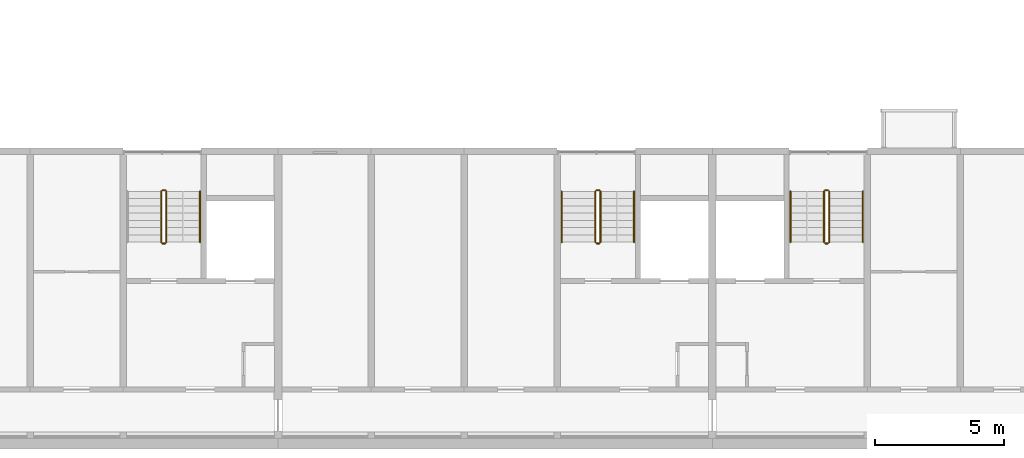
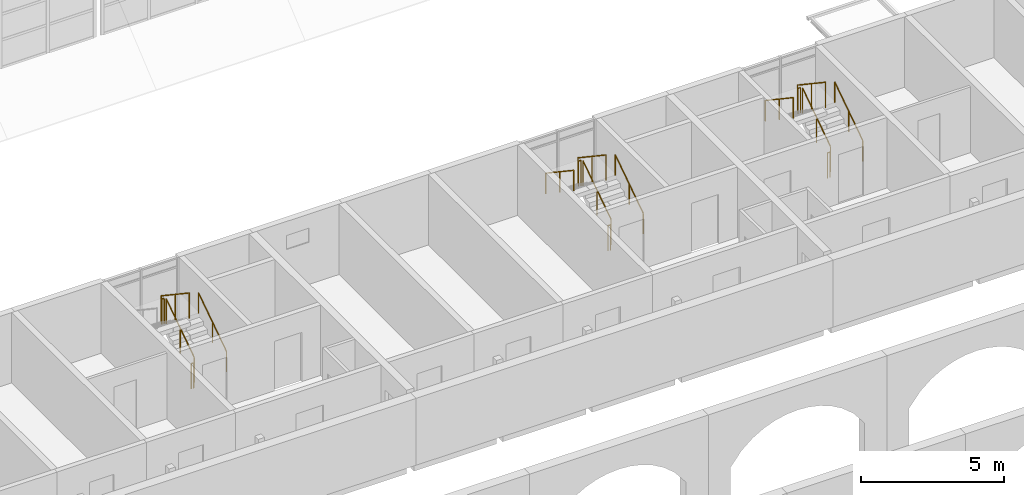
# One storey, part 115 of 122: 17 railings.
"""IFC4 building model written with IfcOpenShell, lengths in metres."""

from ifc_helpers import new_model, si_unit, direction, frame, origin, origin_2d, place, context, subcontext, project, spatial, circle, extrude, material, type_object, element, save


model = new_model("IFC4")

# Units and contexts
model_context = context("Model", 3, precision=1e-05, world=origin(), true_north=direction((0.0, 1.0)))
body_context = subcontext(model_context, "Body", "Model", "MODEL_VIEW")
ifc_project = project(units=[si_unit("LENGTHUNIT", "METRE"), si_unit("AREAUNIT", "SQUARE_METRE"), si_unit("VOLUMEUNIT", "CUBIC_METRE"), si_unit("PLANEANGLEUNIT", "RADIAN"), si_unit("MASSUNIT", "GRAM", prefix="KILO")], contexts=[model_context])

# Site, building, storey
site_placement = place(None, origin())
site = spatial("IfcSite", under=ifc_project, at=site_placement, CompositionType="ELEMENT")
building_placement = place(site_placement, origin())
building = spatial("IfcBuilding", under=site, at=building_placement, Name="Ridgestep Commons", CompositionType="ELEMENT")
storey_placement = place(building_placement, frame((0.0, 0.0, 3.0)))
storey = spatial("IfcBuildingStorey", under=building, at=storey_placement, Name="L01", CompositionType="ELEMENT", Elevation=3.0)

# Railings
ifc_material_1 = material(Name="Structural steel S355JR", Category="steel")
railing_type_1 = type_object("IfcRailingType", Name="Stair guard 1100", PredefinedType="GUARDRAIL", material=ifc_material_1)
railing_1_placement = place(storey_placement, frame((192.875, 19.35009765625, 0.1875)))
element("IfcRailing", 1, at=railing_1_placement, inside=storey, type_object=railing_type_1, Name="L01 D3C stair guard 1", PredefinedType="GUARDRAIL", context=body_context, shape_type="SweptSolid", body=[
    extrude(circle(Radius=0.02392578125, at=origin_2d()), frame((0.0, 0.0, 1.076171875), z_axis=(0.0, 0.830902050051, 0.556418712142), x_axis=(-1.0, 0.0, 0.0)), (0.0, 0.0, 1.0), 2.35888671875),
    extrude(circle(Radius=0.02099609375, at=origin_2d()), origin(), (0.0, 0.0, 1.0), 1.052001953125),
    extrude(circle(Radius=0.02099609375, at=origin_2d()), frame((0.0, 0.97998046875, 0.65625)), (0.0, 0.0, 1.0), 1.052001953125),
    extrude(circle(Radius=0.02099609375, at=origin_2d()), frame((0.0, 1.9599609375, 1.3125)), (0.0, 0.0, 1.0), 1.052001953125),
])
railing_2_placement = place(storey_placement, frame((192.824951171875, 21.360107421875, 1.5)))
element("IfcRailing", 2, at=railing_2_placement, inside=storey, type_object=railing_type_1, Name="L01 D3C stair guard 2", PredefinedType="GUARDRAIL", context=body_context, shape_type="SweptSolid", body=[
    extrude(circle(Radius=0.02392578125, at=origin_2d()), frame((0.0, 0.0, 1.076171875), z_axis=(-1.0, 0.0, 0.0), x_axis=(0.0, -1.0, 0.0)), (0.0, 0.0, 1.0), 0.099853515625),
    extrude(circle(Radius=0.02099609375, at=origin_2d()), origin(), (0.0, 0.0, 1.0), 1.052001953125),
    extrude(circle(Radius=0.02099609375, at=origin_2d()), frame((-0.099853515625, 0.0, 0.0)), (0.0, 0.0, 1.0), 1.052001953125),
])
railing_3_placement = place(storey_placement, frame((192.675048828125, 21.31005859375, 1.6875)))
element("IfcRailing", 3, at=railing_3_placement, inside=storey, type_object=railing_type_1, Name="L01 D3C stair guard 3", PredefinedType="GUARDRAIL", context=body_context, shape_type="SweptSolid", body=[
    extrude(circle(Radius=0.02392578125, at=origin_2d()), frame((0.0, 0.0, 1.076171875), z_axis=(0.0, -0.830902050051, 0.556418712142), x_axis=(1.0, 0.0, 0.0)), (0.0, 0.0, 1.0), 2.35888671875),
    extrude(circle(Radius=0.02099609375, at=origin_2d()), origin(), (0.0, 0.0, 1.0), 1.052001953125),
    extrude(circle(Radius=0.02099609375, at=origin_2d()), frame((0.0, -0.97998046875, 0.65625)), (0.0, 0.0, 1.0), 1.052001953125),
    extrude(circle(Radius=0.02099609375, at=origin_2d()), frame((0.0, -1.9599609375, 1.3125)), (0.0, 0.0, 1.0), 1.052001953125),
])
railing_4_placement = place(storey_placement, frame((192.824951171875, 19.300048828125, 0.0)))
element("IfcRailing", 4, at=railing_4_placement, inside=storey, type_object=railing_type_1, Name="L01 D3C stair guard 4", PredefinedType="GUARDRAIL", context=body_context, shape_type="SweptSolid", body=[
    extrude(circle(Radius=0.02392578125, at=origin_2d()), frame((0.0, 0.0, 1.076171875), z_axis=(-1.0, 0.0, 0.0), x_axis=(0.0, -1.0, 0.0)), (0.0, 0.0, 1.0), 0.099853515625),
    extrude(circle(Radius=0.02099609375, at=origin_2d()), origin(), (0.0, 0.0, 1.0), 1.052001953125),
    extrude(circle(Radius=0.02099609375, at=origin_2d()), frame((-0.099853515625, 0.0, 0.0)), (0.0, 0.0, 1.0), 1.052001953125),
])
railing_5_placement = place(storey_placement, frame((209.675048828125, 19.35009765625, 0.1875)))
element("IfcRailing", 5, at=railing_5_placement, inside=storey, type_object=railing_type_1, Name="L01 D4C stair guard 1", PredefinedType="GUARDRAIL", context=body_context, shape_type="SweptSolid", body=[
    extrude(circle(Radius=0.02392578125, at=origin_2d()), frame((0.0, 0.0, 1.076171875), z_axis=(0.0, 0.830902050051, 0.556418712142), x_axis=(-1.0, 0.0, 0.0)), (0.0, 0.0, 1.0), 2.35888671875),
    extrude(circle(Radius=0.02099609375, at=origin_2d()), origin(), (0.0, 0.0, 1.0), 1.052001953125),
    extrude(circle(Radius=0.02099609375, at=origin_2d()), frame((0.0, 0.97998046875, 0.65625)), (0.0, 0.0, 1.0), 1.052001953125),
    extrude(circle(Radius=0.02099609375, at=origin_2d()), frame((0.0, 1.9599609375, 1.3125)), (0.0, 0.0, 1.0), 1.052001953125),
])
railing_6_placement = place(storey_placement, frame((209.625, 21.360107421875, 1.5)))
element("IfcRailing", 6, at=railing_6_placement, inside=storey, type_object=railing_type_1, Name="L01 D4C stair guard 2", PredefinedType="GUARDRAIL", context=body_context, shape_type="SweptSolid", body=[
    extrude(circle(Radius=0.02392578125, at=origin_2d()), frame((0.0, 0.0, 1.076171875), z_axis=(-1.0, 0.0, 0.0), x_axis=(0.0, -1.0, 0.0)), (0.0, 0.0, 1.0), 0.10009765625),
    extrude(circle(Radius=0.02099609375, at=origin_2d()), origin(), (0.0, 0.0, 1.0), 1.052001953125),
    extrude(circle(Radius=0.02099609375, at=origin_2d()), frame((-0.10009765625, 0.0, 0.0)), (0.0, 0.0, 1.0), 1.052001953125),
])
railing_7_placement = place(storey_placement, frame((209.47509765625, 21.31005859375, 1.6875)))
element("IfcRailing", 7, at=railing_7_placement, inside=storey, type_object=railing_type_1, Name="L01 D4C stair guard 3", PredefinedType="GUARDRAIL", context=body_context, shape_type="SweptSolid", body=[
    extrude(circle(Radius=0.02392578125, at=origin_2d()), frame((0.0, 0.0, 1.076171875), z_axis=(0.0, -0.830902050051, 0.556418712142), x_axis=(1.0, 0.0, 0.0)), (0.0, 0.0, 1.0), 2.35888671875),
    extrude(circle(Radius=0.02099609375, at=origin_2d()), origin(), (0.0, 0.0, 1.0), 1.052001953125),
    extrude(circle(Radius=0.02099609375, at=origin_2d()), frame((0.0, -0.97998046875, 0.65625)), (0.0, 0.0, 1.0), 1.052001953125),
    extrude(circle(Radius=0.02099609375, at=origin_2d()), frame((0.0, -1.9599609375, 1.3125)), (0.0, 0.0, 1.0), 1.052001953125),
])
railing_8_placement = place(storey_placement, frame((209.625, 19.300048828125, 0.0)))
element("IfcRailing", 8, at=railing_8_placement, inside=storey, type_object=railing_type_1, Name="L01 D4C stair guard 4", PredefinedType="GUARDRAIL", context=body_context, shape_type="SweptSolid", body=[
    extrude(circle(Radius=0.02392578125, at=origin_2d()), frame((0.0, 0.0, 1.076171875), z_axis=(-1.0, 0.0, 0.0), x_axis=(0.0, -1.0, 0.0)), (0.0, 0.0, 1.0), 0.10009765625),
    extrude(circle(Radius=0.02099609375, at=origin_2d()), origin(), (0.0, 0.0, 1.0), 1.052001953125),
    extrude(circle(Radius=0.02099609375, at=origin_2d()), frame((-0.10009765625, 0.0, 0.0)), (0.0, 0.0, 1.0), 1.052001953125),
])
railing_9_placement = place(storey_placement, frame((218.52490234375, 19.35009765625, 0.1875)))
element("IfcRailing", 9, at=railing_9_placement, inside=storey, type_object=railing_type_1, Name="L01 D5C stair guard 1", PredefinedType="GUARDRAIL", context=body_context, shape_type="SweptSolid", body=[
    extrude(circle(Radius=0.02392578125, at=origin_2d()), frame((0.0, 0.0, 1.076171875), z_axis=(0.0, 0.830902050051, 0.556418712142), x_axis=(-1.0, 0.0, 0.0)), (0.0, 0.0, 1.0), 2.35888671875),
    extrude(circle(Radius=0.02099609375, at=origin_2d()), origin(), (0.0, 0.0, 1.0), 1.052001953125),
    extrude(circle(Radius=0.02099609375, at=origin_2d()), frame((0.0, 0.97998046875, 0.65625)), (0.0, 0.0, 1.0), 1.052001953125),
    extrude(circle(Radius=0.02099609375, at=origin_2d()), frame((0.0, 1.9599609375, 1.3125)), (0.0, 0.0, 1.0), 1.052001953125),
])
railing_10_placement = place(storey_placement, frame((218.47509765625, 21.360107421875, 1.5)))
element("IfcRailing", 10, at=railing_10_placement, inside=storey, type_object=railing_type_1, Name="L01 D5C stair guard 2", PredefinedType="GUARDRAIL", context=body_context, shape_type="SweptSolid", body=[
    extrude(circle(Radius=0.02392578125, at=origin_2d()), frame((0.0, 0.0, 1.076171875), z_axis=(-1.0, 0.0, 0.0), x_axis=(0.0, -1.0, 0.0)), (0.0, 0.0, 1.0), 0.10009765625),
    extrude(circle(Radius=0.02099609375, at=origin_2d()), origin(), (0.0, 0.0, 1.0), 1.052001953125),
    extrude(circle(Radius=0.02099609375, at=origin_2d()), frame((-0.10009765625, 0.0, 0.0)), (0.0, 0.0, 1.0), 1.052001953125),
])
railing_11_placement = place(storey_placement, frame((218.324951171875, 21.31005859375, 1.6875)))
element("IfcRailing", 11, at=railing_11_placement, inside=storey, type_object=railing_type_1, Name="L01 D5C stair guard 3", PredefinedType="GUARDRAIL", context=body_context, shape_type="SweptSolid", body=[
    extrude(circle(Radius=0.02392578125, at=origin_2d()), frame((0.0, 0.0, 1.076171875), z_axis=(0.0, -0.830902050051, 0.556418712142), x_axis=(1.0, 0.0, 0.0)), (0.0, 0.0, 1.0), 2.35888671875),
    extrude(circle(Radius=0.02099609375, at=origin_2d()), origin(), (0.0, 0.0, 1.0), 1.052001953125),
    extrude(circle(Radius=0.02099609375, at=origin_2d()), frame((0.0, -0.97998046875, 0.65625)), (0.0, 0.0, 1.0), 1.052001953125),
    extrude(circle(Radius=0.02099609375, at=origin_2d()), frame((0.0, -1.9599609375, 1.3125)), (0.0, 0.0, 1.0), 1.052001953125),
])
railing_12_placement = place(storey_placement, frame((218.47509765625, 19.300048828125, 0.0)))
element("IfcRailing", 12, at=railing_12_placement, inside=storey, type_object=railing_type_1, Name="L01 D5C stair guard 4", PredefinedType="GUARDRAIL", context=body_context, shape_type="SweptSolid", body=[
    extrude(circle(Radius=0.02392578125, at=origin_2d()), frame((0.0, 0.0, 1.076171875), z_axis=(-1.0, 0.0, 0.0), x_axis=(0.0, -1.0, 0.0)), (0.0, 0.0, 1.0), 0.10009765625),
    extrude(circle(Radius=0.02099609375, at=origin_2d()), origin(), (0.0, 0.0, 1.0), 1.052001953125),
    extrude(circle(Radius=0.02099609375, at=origin_2d()), frame((-0.10009765625, 0.0, 0.0)), (0.0, 0.0, 1.0), 1.052001953125),
])
ifc_material_2 = material(Name="Structural steel S355JR", Category="steel")
railing_type_2 = type_object("IfcRailingType", Name="Stair handrail 900", PredefinedType="HANDRAIL", material=ifc_material_2)
for number, where, name in (
    (13, (194.175048828125, 19.35009765625, 0.1875), "L01 D3C stair handrail 1"),
    (14, (210.97509765625, 19.35009765625, 0.1875), "L01 D4C stair handrail 1"),
):
    element("IfcRailing", number, at=place(storey_placement, frame(where)), inside=storey, type_object=railing_type_2, Name=name, PredefinedType="HANDRAIL", context=body_context, shape_type="SweptSolid", body=[
        extrude(circle(Radius=0.02392578125, at=origin_2d()), frame((0.0, 0.0, 0.8759765625), z_axis=(0.0, 0.830902050051, 0.556418712142), x_axis=(-1.0, 0.0, 0.0)), (0.0, 0.0, 1.0), 2.35888671875),
        extrude(circle(Radius=0.02099609375, at=origin_2d()), origin(), (0.0, 0.0, 1.0), 0.851806640625),
        extrude(circle(Radius=0.02099609375, at=origin_2d()), frame((0.0, 0.97998046875, 0.65625)), (0.0, 0.0, 1.0), 0.851806640625),
        extrude(circle(Radius=0.02099609375, at=origin_2d()), frame((0.0, 1.9599609375, 1.3125)), (0.0, 0.0, 1.0), 0.851806640625),
    ])
railing_13_placement = place(storey_placement, frame((208.175048828125, 21.31005859375, 1.6875)))
element("IfcRailing", 15, at=railing_13_placement, inside=storey, type_object=railing_type_2, Name="L01 D4C stair handrail 2", PredefinedType="HANDRAIL", context=body_context, shape_type="SweptSolid", body=[
    extrude(circle(Radius=0.02392578125, at=origin_2d()), frame((0.0, 0.0, 0.8759765625), z_axis=(0.0, -0.830902050051, 0.556418712142), x_axis=(1.0, 0.0, 0.0)), (0.0, 0.0, 1.0), 2.35888671875),
    extrude(circle(Radius=0.02099609375, at=origin_2d()), origin(), (0.0, 0.0, 1.0), 0.851806640625),
    extrude(circle(Radius=0.02099609375, at=origin_2d()), frame((0.0, -0.97998046875, 0.65625)), (0.0, 0.0, 1.0), 0.851806640625),
    extrude(circle(Radius=0.02099609375, at=origin_2d()), frame((0.0, -1.9599609375, 1.3125)), (0.0, 0.0, 1.0), 0.851806640625),
])
railing_14_placement = place(storey_placement, frame((219.824951171875, 19.35009765625, 0.1875)))
element("IfcRailing", 16, at=railing_14_placement, inside=storey, type_object=railing_type_2, Name="L01 D5C stair handrail 1", PredefinedType="HANDRAIL", context=body_context, shape_type="SweptSolid", body=[
    extrude(circle(Radius=0.02392578125, at=origin_2d()), frame((0.0, 0.0, 0.8759765625), z_axis=(0.0, 0.830902050051, 0.556418712142), x_axis=(-1.0, 0.0, 0.0)), (0.0, 0.0, 1.0), 2.35888671875),
    extrude(circle(Radius=0.02099609375, at=origin_2d()), origin(), (0.0, 0.0, 1.0), 0.851806640625),
    extrude(circle(Radius=0.02099609375, at=origin_2d()), frame((0.0, 0.97998046875, 0.65625)), (0.0, 0.0, 1.0), 0.851806640625),
    extrude(circle(Radius=0.02099609375, at=origin_2d()), frame((0.0, 1.9599609375, 1.3125)), (0.0, 0.0, 1.0), 0.851806640625),
])
railing_15_placement = place(storey_placement, frame((217.02490234375, 21.31005859375, 1.6875)))
element("IfcRailing", 17, at=railing_15_placement, inside=storey, type_object=railing_type_2, Name="L01 D5C stair handrail 2", PredefinedType="HANDRAIL", context=body_context, shape_type="SweptSolid", body=[
    extrude(circle(Radius=0.02392578125, at=origin_2d()), frame((0.0, 0.0, 0.8759765625), z_axis=(0.0, -0.830902050051, 0.556418712142), x_axis=(1.0, 0.0, 0.0)), (0.0, 0.0, 1.0), 2.35888671875),
    extrude(circle(Radius=0.02099609375, at=origin_2d()), origin(), (0.0, 0.0, 1.0), 0.851806640625),
    extrude(circle(Radius=0.02099609375, at=origin_2d()), frame((0.0, -0.97998046875, 0.65625)), (0.0, 0.0, 1.0), 0.851806640625),
    extrude(circle(Radius=0.02099609375, at=origin_2d()), frame((0.0, -1.9599609375, 1.3125)), (0.0, 0.0, 1.0), 0.851806640625),
])

save(model, "model.ifc")
